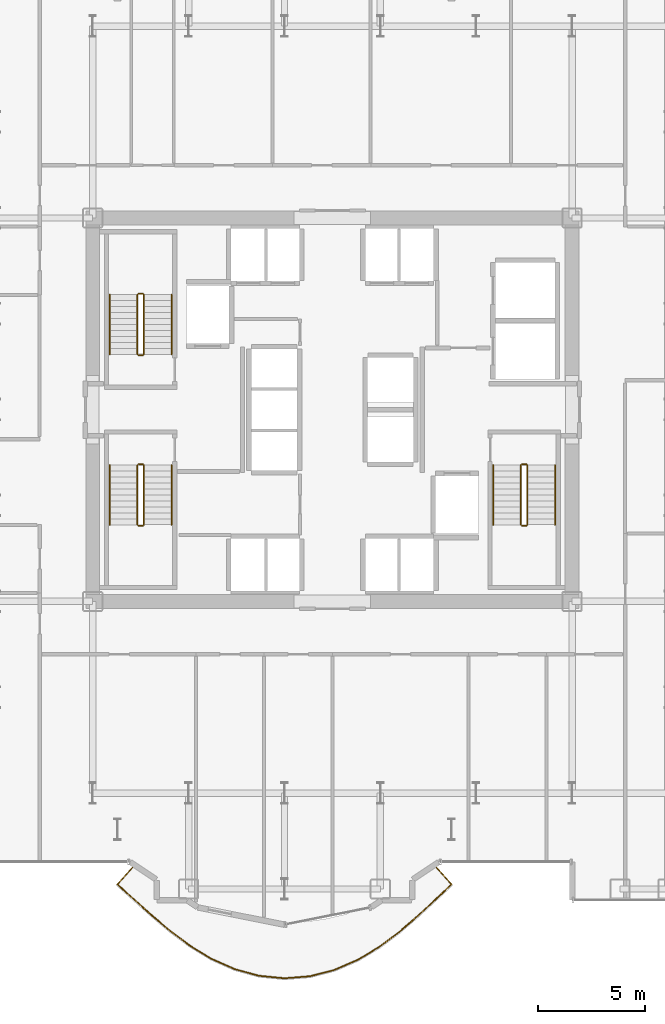
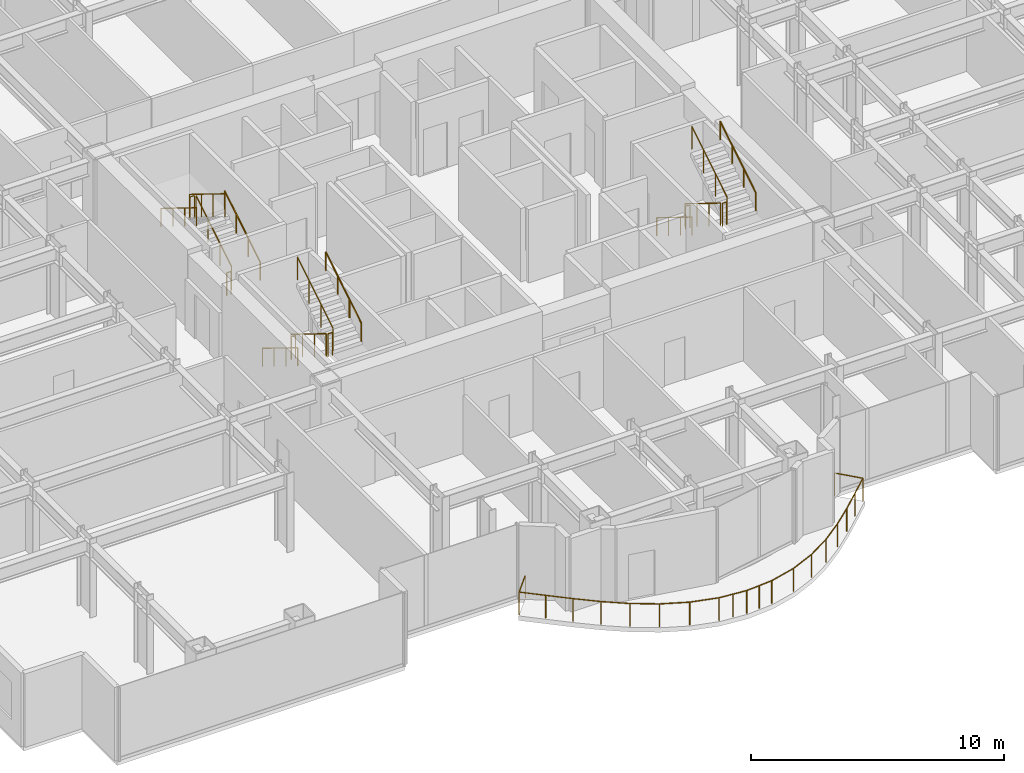
# One storey, part 28 of 29: 19 railings.
"""IFC4 building model written with IfcOpenShell, lengths in metres."""

from ifc_helpers import new_model, si_unit, direction, frame, origin, origin_2d, place, context, subcontext, project, spatial, circle, extrude, material, type_object, element, save


model = new_model("IFC4")

# Units and contexts
model_context = context("Model", 3, precision=1e-05, world=origin(), true_north=direction((0.0, 1.0)))
body_context = subcontext(model_context, "Body", "Model", "MODEL_VIEW")
ifc_project = project(units=[si_unit("LENGTHUNIT", "METRE"), si_unit("AREAUNIT", "SQUARE_METRE"), si_unit("VOLUMEUNIT", "CUBIC_METRE"), si_unit("PLANEANGLEUNIT", "RADIAN"), si_unit("MASSUNIT", "GRAM", prefix="KILO")], contexts=[model_context])

# Site, building, storey
site_placement = place(None, origin())
site = spatial("IfcSite", under=ifc_project, at=site_placement, CompositionType="ELEMENT")
building_placement = place(site_placement, origin())
building = spatial("IfcBuilding", under=site, at=building_placement, Name="Nefas-Gora Pilgrimage Tower", CompositionType="ELEMENT")
storey_placement = place(building_placement, frame((0.0, 0.0, 67.199951171875)))
storey = spatial("IfcBuildingStorey", under=building, at=storey_placement, Name="L15", CompositionType="ELEMENT", Elevation=67.199951171875)

# Railings
ifc_material_1 = material(Name="Laminated safety glass and stainless steel", Category="steel")
railing_type_1 = type_object("IfcRailingType", Name="RLG-BAL-1100", PredefinedType="BALUSTRADE", material=ifc_material_1)
railing_1_placement = place(storey_placement, frame((-9.302490234375, -21.402587890625, 0.0)))
element("IfcRailing", 1, at=railing_1_placement, inside=storey, type_object=railing_type_1, Name="L15 Wave Balcony Balustrade S2", PredefinedType="BALUSTRADE", context=body_context, shape_type="SweptSolid", body=[
    extrude(circle(Radius=0.02392578125, at=origin_2d()), frame((0.0, 0.0, 1.09619140625), z_axis=(-0.669113274241, -0.74316043102, 0.0), x_axis=(0.74316043102, -0.669113274241, 0.0)), (0.0, 0.0, 1.0), 1.180419921875),
    extrude(circle(Radius=0.02392578125, at=origin_2d()), frame((-0.789794921875, -0.877197265625, 1.09619140625), z_axis=(0.741691494507, -0.670741177337, 0.0), x_axis=(0.670741177337, 0.741691494507, 0.0)), (0.0, 0.0, 1.0), 1.0771484375),
    extrude(circle(Radius=0.02392578125, at=origin_2d()), frame((0.009033203125, -1.599609375, 1.09619140625), z_axis=(0.744512131343, -0.667608932147, 0.0), x_axis=(0.667608932147, 0.744512131343, 0.0)), (0.0, 0.0, 1.0), 1.09521484375),
    extrude(circle(Radius=0.02392578125, at=origin_2d()), frame((0.824462890625, -2.330810546875, 1.09619140625), z_axis=(0.763015425676, -0.64638027521, 0.0), x_axis=(0.64638027521, 0.763015425676, 0.0)), (0.0, 0.0, 1.0), 1.1240234375),
    extrude(circle(Radius=0.02392578125, at=origin_2d()), frame((1.68212890625, -3.057373046875, 1.09619140625), z_axis=(0.800735220579, -0.599018452574, 0.0), x_axis=(0.599018452574, 0.800735220579, 0.0)), (0.0, 0.0, 1.0), 1.154541015625),
    extrude(circle(Radius=0.02392578125, at=origin_2d()), frame((2.606689453125, -3.7490234375, 1.09619140625), z_axis=(0.853742280901, -0.520695801598, 0.0), x_axis=(0.520695801598, 0.853742280901, 0.0)), (0.0, 0.0, 1.0), 1.1787109375),
    extrude(circle(Radius=0.02392578125, at=origin_2d()), frame((3.613037109375, -4.36279296875, 1.09619140625), z_axis=(0.912533024613, -0.409003030539, 0.0), x_axis=(0.409003030539, 0.912533024613, 0.0)), (0.0, 0.0, 1.0), 1.193115234375),
    extrude(circle(Radius=0.02392578125, at=origin_2d()), frame((4.701904296875, -4.850830078125, 1.09619140625), z_axis=(0.964107720996, -0.265511397715, 0.0), x_axis=(0.265511397715, 0.964107720996, 0.0)), (0.0, 0.0, 1.0), 1.198974609375),
    extrude(circle(Radius=0.02392578125, at=origin_2d()), frame((5.85791015625, -5.169189453125, 1.09619140625), z_axis=(0.99518310835, -0.098033570044, 0.0), x_axis=(0.098033570044, 0.99518310835, 0.0)), (0.0, 0.0, 1.0), 1.200439453125),
    extrude(circle(Radius=0.02392578125, at=origin_2d()), frame((7.052490234375, -5.286865234375, 1.09619140625), z_axis=(0.996817864329, 0.079712893272, 0.0), x_axis=(-0.079712893272, 0.996817864329, 0.0)), (0.0, 0.0, 1.0), 1.20068359375),
    extrude(circle(Radius=0.02392578125, at=origin_2d()), frame((8.249267578125, -5.191162109375, 1.09619140625), z_axis=(0.96811032682, 0.250524240554, 0.0), x_axis=(-0.250524240554, 0.96811032682, 0.0)), (0.0, 0.0, 1.0), 1.19970703125),
    extrude(circle(Radius=0.02392578125, at=origin_2d()), frame((9.41064453125, -4.890625, 1.09619140625), z_axis=(0.917018073476, 0.398845650496, 0.0), x_axis=(-0.398845650496, 0.917018073476, 0.0)), (0.0, 0.0, 1.0), 1.19482421875),
    extrude(circle(Radius=0.02392578125, at=origin_2d()), frame((10.50634765625, -4.4140625, 1.09619140625), z_axis=(0.856288410146, 0.516497975455, 0.0), x_axis=(-0.516497975455, 0.856288410146, 0.0)), (0.0, 0.0, 1.0), 1.1826171875),
    extrude(circle(Radius=0.02392578125, at=origin_2d()), frame((11.51904296875, -3.80322265625, 1.09619140625), z_axis=(0.799393735848, 0.600807502522, 0.0), x_axis=(-0.600807502522, 0.799393735848, 0.0)), (0.0, 0.0, 1.0), 1.16064453125),
    extrude(circle(Radius=0.02392578125, at=origin_2d()), frame((12.44677734375, -3.10595703125, 1.09619140625), z_axis=(0.756920087297, 0.653507445593, 0.0), x_axis=(-0.653507445593, 0.756920087297, 0.0)), (0.0, 0.0, 1.0), 1.130859375),
    extrude(circle(Radius=0.02392578125, at=origin_2d()), frame((13.302734375, -2.366943359375, 1.09619140625), z_axis=(0.733756578496, 0.679412454635, 0.0), x_axis=(-0.679412454635, 0.733756578496, 0.0)), (0.0, 0.0, 1.0), 1.1005859375),
    extrude(circle(Radius=0.02392578125, at=origin_2d()), frame((14.1103515625, -1.619140625, 1.09619140625), z_axis=(0.727934382881, 0.685646799905, 0.0), x_axis=(-0.685646799905, 0.727934382881, 0.0)), (0.0, 0.0, 1.0), 1.07958984375),
    extrude(circle(Radius=0.02392578125, at=origin_2d()), frame((14.896240234375, -0.87890625, 1.09619140625), z_axis=(-0.669078780144, 0.743191486739, 0.0), x_axis=(-0.743191486739, -0.669078780144, 0.0)), (0.0, 0.0, 1.0), 1.1826171875),
    extrude(circle(Radius=0.02099609375, at=origin_2d()), origin(), (0.0, 0.0, 1.0), 1.072021484375),
    extrude(circle(Radius=0.02099609375, at=origin_2d()), frame((-0.789794921875, -0.877197265625, 0.0)), (0.0, 0.0, 1.0), 1.072021484375),
    extrude(circle(Radius=0.02099609375, at=origin_2d()), frame((0.009033203125, -1.599609375, 0.0)), (0.0, 0.0, 1.0), 1.072021484375),
    extrude(circle(Radius=0.02099609375, at=origin_2d()), frame((0.824462890625, -2.330810546875, 0.0)), (0.0, 0.0, 1.0), 1.072021484375),
    extrude(circle(Radius=0.02099609375, at=origin_2d()), frame((1.68212890625, -3.057373046875, 0.0)), (0.0, 0.0, 1.0), 1.072021484375),
    extrude(circle(Radius=0.02099609375, at=origin_2d()), frame((2.606689453125, -3.7490234375, 0.0)), (0.0, 0.0, 1.0), 1.072021484375),
    extrude(circle(Radius=0.02099609375, at=origin_2d()), frame((3.613037109375, -4.36279296875, 0.0)), (0.0, 0.0, 1.0), 1.072021484375),
    extrude(circle(Radius=0.02099609375, at=origin_2d()), frame((4.701904296875, -4.850830078125, 0.0)), (0.0, 0.0, 1.0), 1.072021484375),
    extrude(circle(Radius=0.02099609375, at=origin_2d()), frame((5.85791015625, -5.169189453125, 0.0)), (0.0, 0.0, 1.0), 1.072021484375),
    extrude(circle(Radius=0.02099609375, at=origin_2d()), frame((6.455078125, -5.22802734375, 0.0)), (0.0, 0.0, 1.0), 1.072021484375),
    extrude(circle(Radius=0.02099609375, at=origin_2d()), frame((7.052490234375, -5.286865234375, 0.0)), (0.0, 0.0, 1.0), 1.072021484375),
    extrude(circle(Radius=0.02099609375, at=origin_2d()), frame((7.65087890625, -5.239013671875, 0.0)), (0.0, 0.0, 1.0), 1.072021484375),
    extrude(circle(Radius=0.02099609375, at=origin_2d()), frame((8.249267578125, -5.191162109375, 0.0)), (0.0, 0.0, 1.0), 1.072021484375),
    extrude(circle(Radius=0.02099609375, at=origin_2d()), frame((9.41064453125, -4.890625, 0.0)), (0.0, 0.0, 1.0), 1.072021484375),
    extrude(circle(Radius=0.02099609375, at=origin_2d()), frame((10.50634765625, -4.4140625, 0.0)), (0.0, 0.0, 1.0), 1.072021484375),
    extrude(circle(Radius=0.02099609375, at=origin_2d()), frame((11.51904296875, -3.80322265625, 0.0)), (0.0, 0.0, 1.0), 1.072021484375),
    extrude(circle(Radius=0.02099609375, at=origin_2d()), frame((12.44677734375, -3.10595703125, 0.0)), (0.0, 0.0, 1.0), 1.072021484375),
    extrude(circle(Radius=0.02099609375, at=origin_2d()), frame((13.302734375, -2.366943359375, 0.0)), (0.0, 0.0, 1.0), 1.072021484375),
    extrude(circle(Radius=0.02099609375, at=origin_2d()), frame((14.1103515625, -1.619140625, 0.0)), (0.0, 0.0, 1.0), 1.072021484375),
    extrude(circle(Radius=0.02099609375, at=origin_2d()), frame((14.896240234375, -0.87890625, 0.0)), (0.0, 0.0, 1.0), 1.072021484375),
    extrude(circle(Radius=0.02099609375, at=origin_2d()), frame((14.10498046875, 0.0, 0.0)), (0.0, 0.0, 1.0), 1.072021484375),
])
ifc_material_2 = material(Name="Painted galvanised steel", Category="steel")
railing_type_2 = type_object("IfcRailingType", Name="RLG-STR-GUARD-1100", PredefinedType="GUARDRAIL", material=ifc_material_2)
railing_2_placement = place(storey_placement, frame((-8.85009765625, 2.60009765625, 0.1728515625)))
element("IfcRailing", 2, at=railing_2_placement, inside=storey, type_object=railing_type_2, Name="L15 ST-01 stair guard 1", PredefinedType="GUARDRAIL", context=body_context, shape_type="SweptSolid", body=[
    extrude(circle(Radius=0.02392578125, at=origin_2d()), frame((0.0, 0.0, 1.09619140625), z_axis=(0.0, 0.851069175582, 0.525053576669), x_axis=(-1.0, 0.0, 0.0)), (0.0, 0.0, 1.0), 3.289794921875),
    extrude(circle(Radius=0.02099609375, at=origin_2d()), origin(), (0.0, 0.0, 1.0), 1.072021484375),
    extrude(circle(Radius=0.02099609375, at=origin_2d()), frame((0.0, 0.933349609375, 0.57568359375)), (0.0, 0.0, 1.0), 1.072021484375),
    extrude(circle(Radius=0.02099609375, at=origin_2d()), frame((0.0, 1.866455078125, 1.151611328125)), (0.0, 0.0, 1.0), 1.072021484375),
    extrude(circle(Radius=0.02099609375, at=origin_2d()), frame((0.0, 2.7998046875, 1.727294921875)), (0.0, 0.0, 1.0), 1.072021484375),
])
railing_3_placement = place(storey_placement, frame((-8.89990234375, 5.449951171875, 1.900146484375)))
element("IfcRailing", 3, at=railing_3_placement, inside=storey, type_object=railing_type_2, Name="L15 ST-01 stair guard 2", PredefinedType="GUARDRAIL", context=body_context, shape_type="SweptSolid", body=[
    extrude(circle(Radius=0.02392578125, at=origin_2d()), frame((0.0, 0.0, 1.09619140625), z_axis=(-1.0, 0.0, 0.0), x_axis=(0.0, -1.0, 0.0)), (0.0, 0.0, 1.0), 0.2001953125),
    extrude(circle(Radius=0.02099609375, at=origin_2d()), origin(), (0.0, 0.0, 1.0), 1.072021484375),
    extrude(circle(Radius=0.02099609375, at=origin_2d()), frame((-0.2001953125, 0.0, 0.0)), (0.0, 0.0, 1.0), 1.072021484375),
])
railing_4_placement = place(storey_placement, frame((-9.14990234375, 5.39990234375, 2.07275390625)))
element("IfcRailing", 4, at=railing_4_placement, inside=storey, type_object=railing_type_2, Name="L15 ST-01 stair guard 3", PredefinedType="GUARDRAIL", context=body_context, shape_type="SweptSolid", body=[
    extrude(circle(Radius=0.02392578125, at=origin_2d()), frame((0.0, 0.0, 1.09619140625), z_axis=(0.0, -0.851069175582, 0.525053576669), x_axis=(1.0, 0.0, 0.0)), (0.0, 0.0, 1.0), 3.289794921875),
    extrude(circle(Radius=0.02099609375, at=origin_2d()), origin(), (0.0, 0.0, 1.0), 1.072021484375),
    extrude(circle(Radius=0.02099609375, at=origin_2d()), frame((0.0, -0.933349609375, 0.57568359375)), (0.0, 0.0, 1.0), 1.072021484375),
    extrude(circle(Radius=0.02099609375, at=origin_2d()), frame((0.0, -1.866455078125, 1.151611328125)), (0.0, 0.0, 1.0), 1.072021484375),
    extrude(circle(Radius=0.02099609375, at=origin_2d()), frame((0.0, -2.7998046875, 1.727294921875)), (0.0, 0.0, 1.0), 1.072021484375),
])
railing_5_placement = place(storey_placement, frame((-8.89990234375, 2.550048828125, 0.0)))
element("IfcRailing", 5, at=railing_5_placement, inside=storey, type_object=railing_type_2, Name="L15 ST-01 stair guard 4", PredefinedType="GUARDRAIL", context=body_context, shape_type="SweptSolid", body=[
    extrude(circle(Radius=0.02392578125, at=origin_2d()), frame((0.0, 0.0, 1.09619140625), z_axis=(-1.0, 0.0, 0.0), x_axis=(0.0, -1.0, 0.0)), (0.0, 0.0, 1.0), 0.2001953125),
    extrude(circle(Radius=0.02099609375, at=origin_2d()), origin(), (0.0, 0.0, 1.0), 1.072021484375),
    extrude(circle(Radius=0.02099609375, at=origin_2d()), frame((-0.2001953125, 0.0, 0.0)), (0.0, 0.0, 1.0), 1.072021484375),
])
railing_6_placement = place(storey_placement, frame((8.85009765625, -2.60009765625, 0.1728515625)))
element("IfcRailing", 6, at=railing_6_placement, inside=storey, type_object=railing_type_2, Name="L15 ST-02 stair guard 1", PredefinedType="GUARDRAIL", context=body_context, shape_type="SweptSolid", body=[
    extrude(circle(Radius=0.02392578125, at=origin_2d()), frame((0.0, 0.0, 1.09619140625), z_axis=(0.0, -0.851069175582, 0.525053576669), x_axis=(1.0, 0.0, 0.0)), (0.0, 0.0, 1.0), 3.289794921875),
    extrude(circle(Radius=0.02099609375, at=origin_2d()), origin(), (0.0, 0.0, 1.0), 1.072021484375),
    extrude(circle(Radius=0.02099609375, at=origin_2d()), frame((0.0, -0.933349609375, 0.57568359375)), (0.0, 0.0, 1.0), 1.072021484375),
    extrude(circle(Radius=0.02099609375, at=origin_2d()), frame((0.0, -1.866455078125, 1.151611328125)), (0.0, 0.0, 1.0), 1.072021484375),
    extrude(circle(Radius=0.02099609375, at=origin_2d()), frame((0.0, -2.7998046875, 1.727294921875)), (0.0, 0.0, 1.0), 1.072021484375),
])
railing_7_placement = place(storey_placement, frame((8.89990234375, -5.449951171875, 1.900146484375)))
element("IfcRailing", 7, at=railing_7_placement, inside=storey, type_object=railing_type_2, Name="L15 ST-02 stair guard 2", PredefinedType="GUARDRAIL", context=body_context, shape_type="SweptSolid", body=[
    extrude(circle(Radius=0.02392578125, at=origin_2d()), frame((0.0, 0.0, 1.09619140625), z_axis=(1.0, 0.0, 0.0), x_axis=(0.0, 1.0, 0.0)), (0.0, 0.0, 1.0), 0.2001953125),
    extrude(circle(Radius=0.02099609375, at=origin_2d()), origin(), (0.0, 0.0, 1.0), 1.072021484375),
    extrude(circle(Radius=0.02099609375, at=origin_2d()), frame((0.2001953125, 0.0, 0.0)), (0.0, 0.0, 1.0), 1.072021484375),
])
railing_8_placement = place(storey_placement, frame((9.14990234375, -5.39990234375, 2.07275390625)))
element("IfcRailing", 8, at=railing_8_placement, inside=storey, type_object=railing_type_2, Name="L15 ST-02 stair guard 3", PredefinedType="GUARDRAIL", context=body_context, shape_type="SweptSolid", body=[
    extrude(circle(Radius=0.02392578125, at=origin_2d()), frame((0.0, 0.0, 1.09619140625), z_axis=(0.0, 0.851069175582, 0.525053576669), x_axis=(-1.0, 0.0, 0.0)), (0.0, 0.0, 1.0), 3.289794921875),
    extrude(circle(Radius=0.02099609375, at=origin_2d()), origin(), (0.0, 0.0, 1.0), 1.072021484375),
    extrude(circle(Radius=0.02099609375, at=origin_2d()), frame((0.0, 0.933349609375, 0.57568359375)), (0.0, 0.0, 1.0), 1.072021484375),
    extrude(circle(Radius=0.02099609375, at=origin_2d()), frame((0.0, 1.866455078125, 1.151611328125)), (0.0, 0.0, 1.0), 1.072021484375),
    extrude(circle(Radius=0.02099609375, at=origin_2d()), frame((0.0, 2.7998046875, 1.727294921875)), (0.0, 0.0, 1.0), 1.072021484375),
])
railing_9_placement = place(storey_placement, frame((8.89990234375, -2.550048828125, 0.0)))
element("IfcRailing", 9, at=railing_9_placement, inside=storey, type_object=railing_type_2, Name="L15 ST-02 stair guard 4", PredefinedType="GUARDRAIL", context=body_context, shape_type="SweptSolid", body=[
    extrude(circle(Radius=0.02392578125, at=origin_2d()), frame((0.0, 0.0, 1.09619140625), z_axis=(1.0, 0.0, 0.0), x_axis=(0.0, 1.0, 0.0)), (0.0, 0.0, 1.0), 0.2001953125),
    extrude(circle(Radius=0.02099609375, at=origin_2d()), origin(), (0.0, 0.0, 1.0), 1.072021484375),
    extrude(circle(Radius=0.02099609375, at=origin_2d()), frame((0.2001953125, 0.0, 0.0)), (0.0, 0.0, 1.0), 1.072021484375),
])
railing_10_placement = place(storey_placement, frame((-9.14990234375, -2.60009765625, 0.1728515625)))
element("IfcRailing", 10, at=railing_10_placement, inside=storey, type_object=railing_type_2, Name="L15 ST-03 stair guard 1", PredefinedType="GUARDRAIL", context=body_context, shape_type="SweptSolid", body=[
    extrude(circle(Radius=0.02392578125, at=origin_2d()), frame((0.0, 0.0, 1.09619140625), z_axis=(0.0, -0.851069175582, 0.525053576669), x_axis=(1.0, 0.0, 0.0)), (0.0, 0.0, 1.0), 3.289794921875),
    extrude(circle(Radius=0.02099609375, at=origin_2d()), origin(), (0.0, 0.0, 1.0), 1.072021484375),
    extrude(circle(Radius=0.02099609375, at=origin_2d()), frame((0.0, -0.933349609375, 0.57568359375)), (0.0, 0.0, 1.0), 1.072021484375),
    extrude(circle(Radius=0.02099609375, at=origin_2d()), frame((0.0, -1.866455078125, 1.151611328125)), (0.0, 0.0, 1.0), 1.072021484375),
    extrude(circle(Radius=0.02099609375, at=origin_2d()), frame((0.0, -2.7998046875, 1.727294921875)), (0.0, 0.0, 1.0), 1.072021484375),
])
railing_11_placement = place(storey_placement, frame((-9.10009765625, -5.449951171875, 1.900146484375)))
element("IfcRailing", 11, at=railing_11_placement, inside=storey, type_object=railing_type_2, Name="L15 ST-03 stair guard 2", PredefinedType="GUARDRAIL", context=body_context, shape_type="SweptSolid", body=[
    extrude(circle(Radius=0.02392578125, at=origin_2d()), frame((0.0, 0.0, 1.09619140625), z_axis=(1.0, 0.0, 0.0), x_axis=(0.0, 1.0, 0.0)), (0.0, 0.0, 1.0), 0.2001953125),
    extrude(circle(Radius=0.02099609375, at=origin_2d()), origin(), (0.0, 0.0, 1.0), 1.072021484375),
    extrude(circle(Radius=0.02099609375, at=origin_2d()), frame((0.2001953125, 0.0, 0.0)), (0.0, 0.0, 1.0), 1.072021484375),
])
railing_12_placement = place(storey_placement, frame((-8.85009765625, -5.39990234375, 2.07275390625)))
element("IfcRailing", 12, at=railing_12_placement, inside=storey, type_object=railing_type_2, Name="L15 ST-03 stair guard 3", PredefinedType="GUARDRAIL", context=body_context, shape_type="SweptSolid", body=[
    extrude(circle(Radius=0.02392578125, at=origin_2d()), frame((0.0, 0.0, 1.09619140625), z_axis=(0.0, 0.851069175582, 0.525053576669), x_axis=(-1.0, 0.0, 0.0)), (0.0, 0.0, 1.0), 3.289794921875),
    extrude(circle(Radius=0.02099609375, at=origin_2d()), origin(), (0.0, 0.0, 1.0), 1.072021484375),
    extrude(circle(Radius=0.02099609375, at=origin_2d()), frame((0.0, 0.933349609375, 0.57568359375)), (0.0, 0.0, 1.0), 1.072021484375),
    extrude(circle(Radius=0.02099609375, at=origin_2d()), frame((0.0, 1.866455078125, 1.151611328125)), (0.0, 0.0, 1.0), 1.072021484375),
    extrude(circle(Radius=0.02099609375, at=origin_2d()), frame((0.0, 2.7998046875, 1.727294921875)), (0.0, 0.0, 1.0), 1.072021484375),
])
railing_13_placement = place(storey_placement, frame((-9.10009765625, -2.550048828125, 0.0)))
element("IfcRailing", 13, at=railing_13_placement, inside=storey, type_object=railing_type_2, Name="L15 ST-03 stair guard 4", PredefinedType="GUARDRAIL", context=body_context, shape_type="SweptSolid", body=[
    extrude(circle(Radius=0.02392578125, at=origin_2d()), frame((0.0, 0.0, 1.09619140625), z_axis=(1.0, 0.0, 0.0), x_axis=(0.0, 1.0, 0.0)), (0.0, 0.0, 1.0), 0.2001953125),
    extrude(circle(Radius=0.02099609375, at=origin_2d()), origin(), (0.0, 0.0, 1.0), 1.072021484375),
    extrude(circle(Radius=0.02099609375, at=origin_2d()), frame((0.2001953125, 0.0, 0.0)), (0.0, 0.0, 1.0), 1.072021484375),
])
ifc_material_3 = material(Name="Brushed stainless steel", Category="steel")
railing_type_3 = type_object("IfcRailingType", Name="RLG-STR-HAND-900", PredefinedType="HANDRAIL", material=ifc_material_3)
railing_14_placement = place(storey_placement, frame((-7.550048828125, 2.60009765625, 0.1728515625)))
element("IfcRailing", 14, at=railing_14_placement, inside=storey, type_object=railing_type_3, Name="L15 ST-01 stair handrail 1", PredefinedType="HANDRAIL", context=body_context, shape_type="SweptSolid", body=[
    extrude(circle(Radius=0.02392578125, at=origin_2d()), frame((0.0, 0.0, 0.8759765625), z_axis=(0.0, 0.851069175582, 0.525053576669), x_axis=(-1.0, 0.0, 0.0)), (0.0, 0.0, 1.0), 3.289794921875),
    extrude(circle(Radius=0.02099609375, at=origin_2d()), origin(), (0.0, 0.0, 1.0), 0.851806640625),
    extrude(circle(Radius=0.02099609375, at=origin_2d()), frame((0.0, 0.933349609375, 0.57568359375)), (0.0, 0.0, 1.0), 0.851806640625),
    extrude(circle(Radius=0.02099609375, at=origin_2d()), frame((0.0, 1.866455078125, 1.151611328125)), (0.0, 0.0, 1.0), 0.851806640625),
    extrude(circle(Radius=0.02099609375, at=origin_2d()), frame((0.0, 2.7998046875, 1.727294921875)), (0.0, 0.0, 1.0), 0.851806640625),
])
for number, where, name in (
    (15, (-10.449951171875, 5.39990234375, 2.07275390625), "L15 ST-01 stair handrail 2"),
    (16, (7.550048828125, -2.60009765625, 0.1728515625), "L15 ST-02 stair handrail 1"),
):
    element("IfcRailing", number, at=place(storey_placement, frame(where)), inside=storey, type_object=railing_type_3, Name=name, PredefinedType="HANDRAIL", context=body_context, shape_type="SweptSolid", body=[
        extrude(circle(Radius=0.02392578125, at=origin_2d()), frame((0.0, 0.0, 0.8759765625), z_axis=(0.0, -0.851069175582, 0.525053576669), x_axis=(1.0, 0.0, 0.0)), (0.0, 0.0, 1.0), 3.289794921875),
        extrude(circle(Radius=0.02099609375, at=origin_2d()), origin(), (0.0, 0.0, 1.0), 0.851806640625),
        extrude(circle(Radius=0.02099609375, at=origin_2d()), frame((0.0, -0.933349609375, 0.57568359375)), (0.0, 0.0, 1.0), 0.851806640625),
        extrude(circle(Radius=0.02099609375, at=origin_2d()), frame((0.0, -1.866455078125, 1.151611328125)), (0.0, 0.0, 1.0), 0.851806640625),
        extrude(circle(Radius=0.02099609375, at=origin_2d()), frame((0.0, -2.7998046875, 1.727294921875)), (0.0, 0.0, 1.0), 0.851806640625),
    ])
railing_15_placement = place(storey_placement, frame((10.449951171875, -5.39990234375, 2.07275390625)))
element("IfcRailing", 17, at=railing_15_placement, inside=storey, type_object=railing_type_3, Name="L15 ST-02 stair handrail 2", PredefinedType="HANDRAIL", context=body_context, shape_type="SweptSolid", body=[
    extrude(circle(Radius=0.02392578125, at=origin_2d()), frame((0.0, 0.0, 0.8759765625), z_axis=(0.0, 0.851069175582, 0.525053576669), x_axis=(-1.0, 0.0, 0.0)), (0.0, 0.0, 1.0), 3.289794921875),
    extrude(circle(Radius=0.02099609375, at=origin_2d()), origin(), (0.0, 0.0, 1.0), 0.851806640625),
    extrude(circle(Radius=0.02099609375, at=origin_2d()), frame((0.0, 0.933349609375, 0.57568359375)), (0.0, 0.0, 1.0), 0.851806640625),
    extrude(circle(Radius=0.02099609375, at=origin_2d()), frame((0.0, 1.866455078125, 1.151611328125)), (0.0, 0.0, 1.0), 0.851806640625),
    extrude(circle(Radius=0.02099609375, at=origin_2d()), frame((0.0, 2.7998046875, 1.727294921875)), (0.0, 0.0, 1.0), 0.851806640625),
])
railing_16_placement = place(storey_placement, frame((-10.449951171875, -2.60009765625, 0.1728515625)))
element("IfcRailing", 18, at=railing_16_placement, inside=storey, type_object=railing_type_3, Name="L15 ST-03 stair handrail 1", PredefinedType="HANDRAIL", context=body_context, shape_type="SweptSolid", body=[
    extrude(circle(Radius=0.02392578125, at=origin_2d()), frame((0.0, 0.0, 0.8759765625), z_axis=(0.0, -0.851069175582, 0.525053576669), x_axis=(1.0, 0.0, 0.0)), (0.0, 0.0, 1.0), 3.289794921875),
    extrude(circle(Radius=0.02099609375, at=origin_2d()), origin(), (0.0, 0.0, 1.0), 0.851806640625),
    extrude(circle(Radius=0.02099609375, at=origin_2d()), frame((0.0, -0.933349609375, 0.57568359375)), (0.0, 0.0, 1.0), 0.851806640625),
    extrude(circle(Radius=0.02099609375, at=origin_2d()), frame((0.0, -1.866455078125, 1.151611328125)), (0.0, 0.0, 1.0), 0.851806640625),
    extrude(circle(Radius=0.02099609375, at=origin_2d()), frame((0.0, -2.7998046875, 1.727294921875)), (0.0, 0.0, 1.0), 0.851806640625),
])
railing_17_placement = place(storey_placement, frame((-7.550048828125, -5.39990234375, 2.07275390625)))
element("IfcRailing", 19, at=railing_17_placement, inside=storey, type_object=railing_type_3, Name="L15 ST-03 stair handrail 2", PredefinedType="HANDRAIL", context=body_context, shape_type="SweptSolid", body=[
    extrude(circle(Radius=0.02392578125, at=origin_2d()), frame((0.0, 0.0, 0.8759765625), z_axis=(0.0, 0.851069175582, 0.525053576669), x_axis=(-1.0, 0.0, 0.0)), (0.0, 0.0, 1.0), 3.289794921875),
    extrude(circle(Radius=0.02099609375, at=origin_2d()), origin(), (0.0, 0.0, 1.0), 0.851806640625),
    extrude(circle(Radius=0.02099609375, at=origin_2d()), frame((0.0, 0.933349609375, 0.57568359375)), (0.0, 0.0, 1.0), 0.851806640625),
    extrude(circle(Radius=0.02099609375, at=origin_2d()), frame((0.0, 1.866455078125, 1.151611328125)), (0.0, 0.0, 1.0), 0.851806640625),
    extrude(circle(Radius=0.02099609375, at=origin_2d()), frame((0.0, 2.7998046875, 1.727294921875)), (0.0, 0.0, 1.0), 0.851806640625),
])

save(model, "model.ifc")
